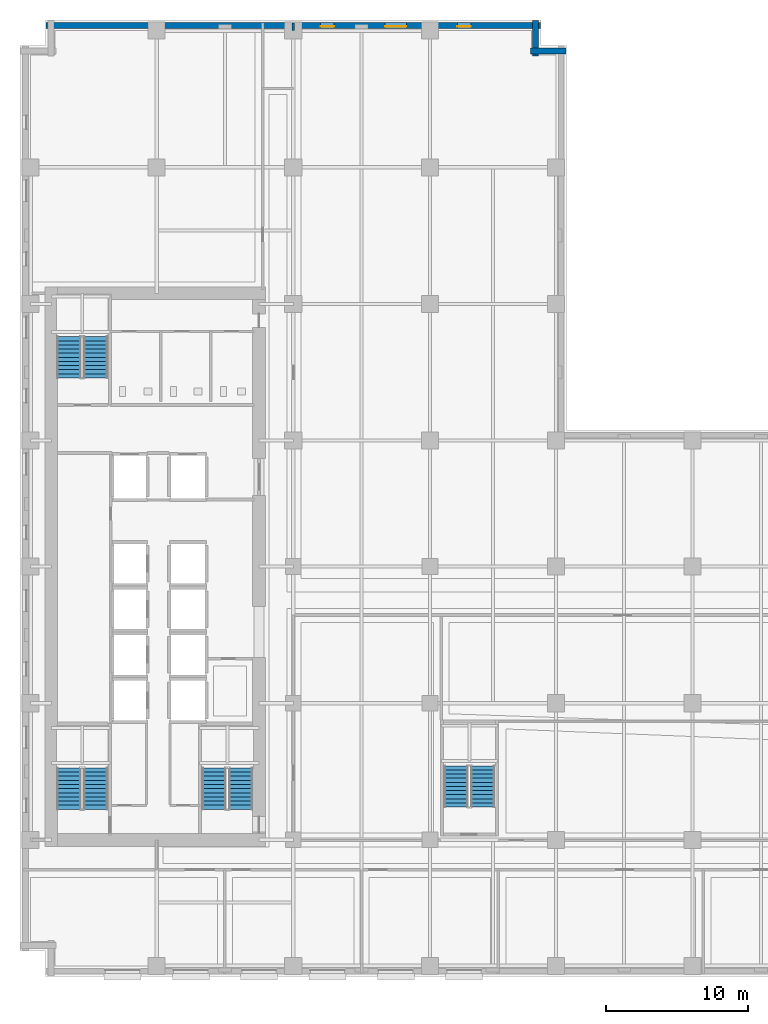
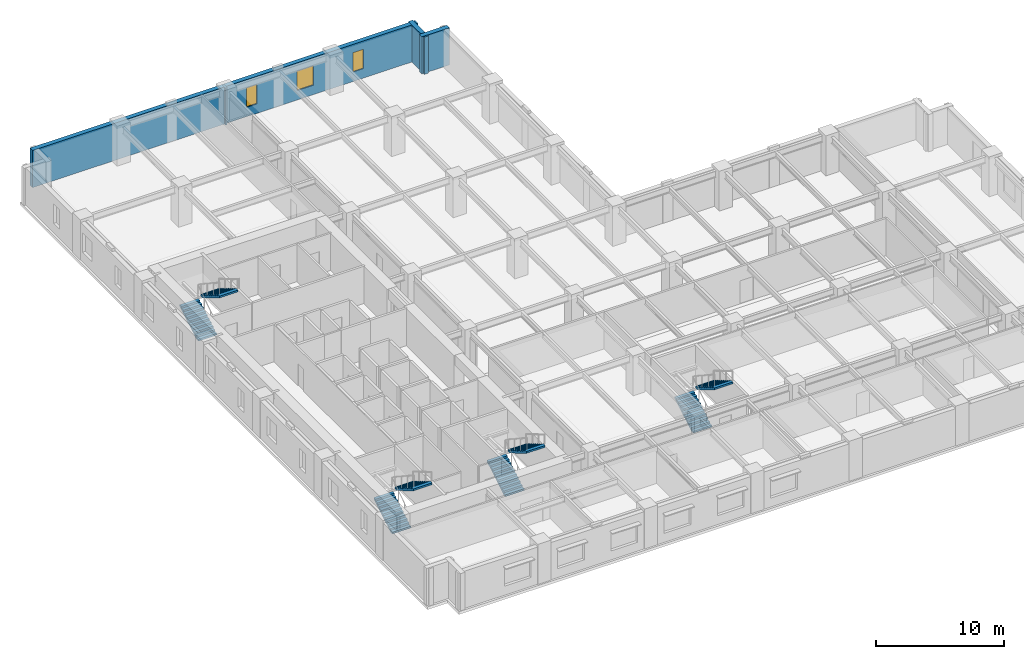
# One storey, part 9 of 14: 8 stair flights, 4 walls, 3 windows, 3 openings, 4 elements without a shape of their own.
"""IFC4 building model written with IfcOpenShell, lengths in metres."""

from ifc_helpers import new_model, si_unit, direction, frame, frame_2d, origin, place, context, subcontext, project, spatial, polyline, rectangle, outline, extrude, material, layer, layer_set, type_object, element, fill, aggregate, save


model = new_model("IFC4")

# Units and contexts
model_context = context("Model", 3, precision=1e-05, world=origin(), true_north=direction((0.0, 1.0)))
body_context = subcontext(model_context, "Body", "Model", "MODEL_VIEW")
ifc_project = project(units=[si_unit("LENGTHUNIT", "METRE"), si_unit("AREAUNIT", "SQUARE_METRE"), si_unit("VOLUMEUNIT", "CUBIC_METRE"), si_unit("PLANEANGLEUNIT", "RADIAN"), si_unit("MASSUNIT", "GRAM", prefix="KILO")], contexts=[model_context])

# Site, building, storey
site_placement = place(None, origin())
site = spatial("IfcSite", under=ifc_project, at=site_placement, CompositionType="ELEMENT")
building_placement = place(site_placement, origin())
building = spatial("IfcBuilding", under=site, at=building_placement, Name="Norrvale University Quadrangle", CompositionType="ELEMENT")
storey_placement = place(building_placement, frame((0.0, 0.0, 28.0)))
storey = spatial("IfcBuildingStorey", under=building, at=storey_placement, Name="L06", CompositionType="ELEMENT", Elevation=28.0)

# Walls
ifc_material_1 = material(Name="Fire-Rated Gypsum Stud Partition")
ifc_layer_1 = layer(ifc_material_1, 0.14990234375, Name="Fire-Rated Gypsum Stud Partition")
ifc_layer_set_1 = layer_set([ifc_layer_1], Name="Fire-Rated Gypsum Stud Partition")
wall_type_1 = type_object("IfcWallType", Name="Wall Gypsum Corridor 150", PredefinedType="PARTITIONING", material=ifc_layer_set_1)
wall_1_placement = place(storey_placement, frame((19.199951171875, 66.449951171875, 0.0), z_axis=(0.0, 0.0, 1.0), x_axis=(0.0, 1.0, 0.0)))
element("IfcWall", 1, at=wall_1_placement, inside=storey, type_object=wall_type_1, Name="Interior Partition WL-L06-NECW-B2", PredefinedType="PARTITIONING", context=body_context, shape_type="SweptSolid", body=[
    extrude(rectangle(XDim=0.530029296875, YDim=0.14990234375, at=frame_2d((0.26513671875, 0.0))), origin(), (0.0, 0.0, 1.0), 3.5400390625),
])
ifc_material_2 = material(Name="Red Manganese Brick Masonry", Category="masonry")
ifc_layer_2 = layer(ifc_material_2, 0.39990234375, Name="Red Manganese Brick Masonry")
ifc_layer_set_2 = layer_set([ifc_layer_2], Name="Red Manganese Brick Masonry")
wall_type_2 = type_object("IfcWallType", Name="Wall Red Brick 400", PredefinedType="SOLIDWALL", material=ifc_layer_set_2)
wall_2_placement = place(storey_placement, frame((38.360107421875, 65.02001953125, 0.0), z_axis=(0.0, 0.0, 1.0), x_axis=(-1.0, 0.0, 0.0)))
element("IfcWall", 2, at=wall_2_placement, inside=storey, type_object=wall_type_2, Name="Exterior Brick Facade Wall L06-09.1", PredefinedType="SOLIDWALL", context=body_context, shape_type="SweptSolid", body=[
    extrude(rectangle(XDim=2.480224609375, YDim=0.39990234375, at=frame_2d((1.240234375, 0.0))), origin(), (0.0, 0.0, 1.0), 3.5400390625),
])
wall_3_placement = place(storey_placement, frame((36.219970703125, 64.679931640625, 0.0), z_axis=(0.0, 0.0, 1.0), x_axis=(0.0, 1.0, 0.0)))
element("IfcWall", 3, at=wall_3_placement, inside=storey, type_object=wall_type_2, Name="Exterior Brick Facade Wall L06-10.1", PredefinedType="SOLIDWALL", context=body_context, shape_type="SweptSolid", body=[
    extrude(rectangle(XDim=2.47998046875, YDim=0.39990234375, at=frame_2d((1.239990234375, 0.0))), origin(), (0.0, 0.0, 1.0), 3.5400390625),
])

# Wall, openings, windows
wall_4_placement = place(storey_placement, frame((36.56005859375, 66.820068359375, 0.0), z_axis=(0.0, 0.0, 1.0), x_axis=(-1.0, 0.0, 0.0)))
wall_4 = element("IfcWall", 4, at=wall_4_placement, inside=storey, type_object=wall_type_2, Name="Exterior Brick Facade Wall L06-11.1", PredefinedType="SOLIDWALL", context=body_context, shape_type="SweptSolid", body=[
    extrude(rectangle(XDim=34.719970703125, YDim=0.39990234375, at=frame_2d((17.35986328125, 0.0))), origin(), (0.0, 0.0, 1.0), 3.5400390625),
])
opening_1_placement = place(wall_4_placement, frame((4.885009765625, 0.0, 0.89990234375)))
opening_1 = element("IfcOpeningElement", 5, at=opening_1_placement, cuts=wall_4, Name="Opening W04", PredefinedType="OPENING", context=body_context, shape_type="SweptSolid", body=[
    extrude(rectangle(XDim=0.949951171875, YDim=1.85009765625, at=frame_2d((0.47509765625, 0.925048828125))), frame((0.0, 0.2119140625, 0.0), z_axis=(0.0, -1.0, 0.0), x_axis=(1.0, 0.0, 0.0)), (0.0, 0.0, 1.0), 0.423828125),
])
opening_2_placement = place(wall_4_placement, frame((9.409912109375, 0.0, 0.89990234375)))
opening_2 = element("IfcOpeningElement", 6, at=opening_2_placement, cuts=wall_4, Name="Opening W03", PredefinedType="OPENING", context=body_context, shape_type="SweptSolid", body=[
    extrude(rectangle(XDim=1.5, YDim=1.85009765625, at=frame_2d((0.75, 0.925048828125))), frame((0.0, 0.2119140625, 0.0), z_axis=(0.0, -1.0, 0.0), x_axis=(1.0, 0.0, 0.0)), (0.0, 0.0, 1.0), 0.423828125),
])
opening_3_placement = place(wall_4_placement, frame((14.485107421875, 0.0, 0.89990234375)))
opening_3 = element("IfcOpeningElement", 7, at=opening_3_placement, cuts=wall_4, Name="Opening W04", PredefinedType="OPENING", context=body_context, shape_type="SweptSolid", body=[
    extrude(rectangle(XDim=0.949951171875, YDim=1.85009765625, at=frame_2d((0.47509765625, 0.925048828125))), frame((0.0, 0.2119140625, 0.0), z_axis=(0.0, -1.0, 0.0), x_axis=(1.0, 0.0, 0.0)), (0.0, 0.0, 1.0), 0.423828125),
])
ifc_material_3 = material(Name="Triple Low-E Argon Glazing", Category="glass")
window_type_1 = type_object("IfcWindowType", Name="Window Narrow Pier 950x2300", PartitioningType="SINGLE_PANEL", PredefinedType="WINDOW", material=ifc_material_3)
window_1_placement = place(opening_1_placement, origin())
window_1 = element("IfcWindow", 8, at=window_1_placement, inside=storey, type_object=window_type_1, Name="Window Narrow Pier 950x2300 WIN-L06-E11-1-01", OverallHeight=1.85009765625, OverallWidth=0.949951171875, PartitioningType="SINGLE_PANEL", PredefinedType="WINDOW", context=body_context, shape_type="SweptSolid", body=[
    extrude(rectangle(XDim=0.949951171875, YDim=1.85009765625, at=frame_2d((0.47509765625, 0.925048828125))), frame((0.0, 0.110107421875, 0.0), z_axis=(0.0, -1.0, 0.0), x_axis=(1.0, 0.0, 0.0)), (0.0, 0.0, 1.0), 0.06005859375),
])
fill(opening_1, window_1)
window_2_placement = place(opening_3_placement, origin())
window_2 = element("IfcWindow", 9, at=window_2_placement, inside=storey, type_object=window_type_1, Name="Window Narrow Pier 950x2300 WIN-L06-E11-1-03", OverallHeight=1.85009765625, OverallWidth=0.949951171875, PartitioningType="SINGLE_PANEL", PredefinedType="WINDOW", context=body_context, shape_type="SweptSolid", body=[
    extrude(rectangle(XDim=0.949951171875, YDim=1.85009765625, at=frame_2d((0.47509765625, 0.925048828125))), frame((0.0, 0.110107421875, 0.0), z_axis=(0.0, -1.0, 0.0), x_axis=(1.0, 0.0, 0.0)), (0.0, 0.0, 1.0), 0.06005859375),
])
fill(opening_3, window_2)
window_type_2 = type_object("IfcWindowType", Name="Window Studio 1500x2300", PartitioningType="DOUBLE_PANEL_VERTICAL", PredefinedType="WINDOW", material=ifc_material_3)
window_3_placement = place(opening_2_placement, origin())
window_3 = element("IfcWindow", 10, at=window_3_placement, inside=storey, type_object=window_type_2, Name="Window Studio 1500x2300 WIN-L06-E11-1-02", OverallHeight=1.85009765625, OverallWidth=1.5, PartitioningType="DOUBLE_PANEL_VERTICAL", PredefinedType="WINDOW", context=body_context, shape_type="SweptSolid", body=[
    extrude(rectangle(XDim=1.5, YDim=1.85009765625, at=frame_2d((0.75, 0.925048828125))), frame((0.0, 0.110107421875, 0.0), z_axis=(0.0, -1.0, 0.0), x_axis=(1.0, 0.0, 0.0)), (0.0, 0.0, 1.0), 0.06005859375),
])
fill(opening_2, window_3)

# Stair, stair flights
ifc_material_4 = material(Name="Concrete C40/50", Category="concrete")
stair_type = type_object("IfcStairType", Name="Stair Tower Typ 3800", PredefinedType="TWO_STRAIGHT_RUN_STAIR", material=ifc_material_4)
stair_1_placement = place(storey_placement, origin())
stair_1 = element("IfcStair", 11, at=stair_1_placement, inside=storey, type_object=stair_type, Name="Exit Stair ST-01 L06", PredefinedType="TWO_STRAIGHT_RUN_STAIR")
stair_flight_type = type_object("IfcStairFlightType", Name="Flight Typ 1500", PredefinedType="STRAIGHT", material=ifc_material_4)
stair_flight_1_placement = place(storey_placement, frame((3.429931640625, 11.75, 0.0), z_axis=(0.0, 0.0, 1.0), x_axis=(0.0, 1.0, 0.0)))
stair_flight_1 = element("IfcStairFlight", 12, at=stair_flight_1_placement, type_object=stair_flight_type, Name="Exit Stair ST-01 L06 Lower Flight", NumberOfRisers=11, NumberOfTreads=10, PredefinedType="STRAIGHT", RiserHeight=0.172727, TreadLength=0.29, context=body_context, shape_type="SweptSolid", body=[
    extrude(outline(polyline([(0.0, 0.0), (0.0, 0.172607421875), (0.2900390625, 0.172607421875), (0.2900390625, 0.345458984375), (0.580078125, 0.345458984375), (0.580078125, 0.51806640625), (0.8701171875, 0.51806640625), (0.8701171875, 0.69091796875), (1.159912109375, 0.69091796875), (1.159912109375, 0.863525390625), (1.449951171875, 0.863525390625), (1.449951171875, 1.036376953125), (1.739990234375, 1.036376953125), (1.739990234375, 1.208984375), (2.030029296875, 1.208984375), (2.030029296875, 1.3818359375), (2.320068359375, 1.3818359375), (2.320068359375, 1.554443359375), (2.610107421875, 1.554443359375), (2.610107421875, 1.727294921875), (2.89990234375, 1.727294921875), (2.89990234375, 1.89990234375), (2.89990234375, 1.552734375), (0.29296875, 0.0), (0.0, 0.0)])), frame((0.0, 0.83984375, 0.0), z_axis=(0.0, -1.0, 0.0), x_axis=(1.0, 0.0, 0.0)), (0.0, 0.0, 1.0), 1.679931640625),
])
stair_flight_2_placement = place(storey_placement, frame((5.320068359375, 14.64990234375, 1.89990234375), z_axis=(0.0, 0.0, 1.0), x_axis=(0.0, -1.0, 0.0)))
stair_flight_2 = element("IfcStairFlight", 13, at=stair_flight_2_placement, type_object=stair_flight_type, Name="Exit Stair ST-01 L06 Upper Flight", NumberOfRisers=11, NumberOfTreads=10, PredefinedType="STRAIGHT", RiserHeight=0.172727, TreadLength=0.29, context=body_context, shape_type="SweptSolid", body=[
    extrude(outline(polyline([(0.0, 0.0), (0.0, 0.172607421875), (0.2900390625, 0.172607421875), (0.2900390625, 0.345458984375), (0.580078125, 0.345458984375), (0.580078125, 0.51806640625), (0.8701171875, 0.51806640625), (0.8701171875, 0.69091796875), (1.159912109375, 0.69091796875), (1.159912109375, 0.863525390625), (1.449951171875, 0.863525390625), (1.449951171875, 1.036376953125), (1.739990234375, 1.036376953125), (1.739990234375, 1.208984375), (2.030029296875, 1.208984375), (2.030029296875, 1.3818359375), (2.320068359375, 1.3818359375), (2.320068359375, 1.554443359375), (2.610107421875, 1.554443359375), (2.610107421875, 1.727294921875), (2.89990234375, 1.727294921875), (2.89990234375, 1.89990234375), (2.89990234375, 1.552734375), (0.29296875, 0.0), (0.0, 0.0)])), frame((0.0, 0.83984375, 0.0), z_axis=(0.0, -1.0, 0.0), x_axis=(1.0, 0.0, 0.0)), (0.0, 0.0, 1.0), 1.679931640625),
])
aggregate(stair_1, [stair_flight_1, stair_flight_2])

stair_2_placement = place(storey_placement, origin())
stair_2 = element("IfcStair", 14, at=stair_2_placement, inside=storey, type_object=stair_type, Name="Exit Stair ST-02 L06", PredefinedType="TWO_STRAIGHT_RUN_STAIR")
stair_flight_3_placement = place(storey_placement, frame((3.429931640625, 42.050048828125, 0.0), z_axis=(0.0, 0.0, 1.0), x_axis=(0.0, 1.0, 0.0)))
stair_flight_3 = element("IfcStairFlight", 15, at=stair_flight_3_placement, type_object=stair_flight_type, Name="Exit Stair ST-02 L06 Lower Flight", NumberOfRisers=11, NumberOfTreads=10, PredefinedType="STRAIGHT", RiserHeight=0.172727, TreadLength=0.29, context=body_context, shape_type="SweptSolid", body=[
    extrude(outline(polyline([(0.0, 0.0), (0.0, 0.172607421875), (0.2900390625, 0.172607421875), (0.2900390625, 0.345458984375), (0.580078125, 0.345458984375), (0.580078125, 0.51806640625), (0.8701171875, 0.51806640625), (0.8701171875, 0.69091796875), (1.159912109375, 0.69091796875), (1.159912109375, 0.863525390625), (1.449951171875, 0.863525390625), (1.449951171875, 1.036376953125), (1.739990234375, 1.036376953125), (1.739990234375, 1.208984375), (2.030029296875, 1.208984375), (2.030029296875, 1.3818359375), (2.320068359375, 1.3818359375), (2.320068359375, 1.554443359375), (2.610107421875, 1.554443359375), (2.610107421875, 1.727294921875), (2.89990234375, 1.727294921875), (2.89990234375, 1.89990234375), (2.89990234375, 1.552734375), (0.29296875, 0.0), (0.0, 0.0)])), frame((0.0, 0.83984375, 0.0), z_axis=(0.0, -1.0, 0.0), x_axis=(1.0, 0.0, 0.0)), (0.0, 0.0, 1.0), 1.679931640625),
])
stair_flight_4_placement = place(storey_placement, frame((5.320068359375, 44.949951171875, 1.89990234375), z_axis=(0.0, 0.0, 1.0), x_axis=(0.0, -1.0, 0.0)))
stair_flight_4 = element("IfcStairFlight", 16, at=stair_flight_4_placement, type_object=stair_flight_type, Name="Exit Stair ST-02 L06 Upper Flight", NumberOfRisers=11, NumberOfTreads=10, PredefinedType="STRAIGHT", RiserHeight=0.172727, TreadLength=0.29, context=body_context, shape_type="SweptSolid", body=[
    extrude(outline(polyline([(0.0, 0.0), (0.0, 0.172607421875), (0.2900390625, 0.172607421875), (0.2900390625, 0.345458984375), (0.580078125, 0.345458984375), (0.580078125, 0.51806640625), (0.8701171875, 0.51806640625), (0.8701171875, 0.69091796875), (1.159912109375, 0.69091796875), (1.159912109375, 0.863525390625), (1.449951171875, 0.863525390625), (1.449951171875, 1.036376953125), (1.739990234375, 1.036376953125), (1.739990234375, 1.208984375), (2.030029296875, 1.208984375), (2.030029296875, 1.3818359375), (2.320068359375, 1.3818359375), (2.320068359375, 1.554443359375), (2.610107421875, 1.554443359375), (2.610107421875, 1.727294921875), (2.89990234375, 1.727294921875), (2.89990234375, 1.89990234375), (2.89990234375, 1.552734375), (0.29296875, 0.0), (0.0, 0.0)])), frame((0.0, 0.83984375, 0.0), z_axis=(0.0, -1.0, 0.0), x_axis=(1.0, 0.0, 0.0)), (0.0, 0.0, 1.0), 1.679931640625),
])
aggregate(stair_2, [stair_flight_3, stair_flight_4])

stair_3_placement = place(storey_placement, origin())
stair_3 = element("IfcStair", 17, at=stair_3_placement, inside=storey, type_object=stair_type, Name="Exit Stair ST-03 L06", PredefinedType="TWO_STRAIGHT_RUN_STAIR")
stair_flight_5_placement = place(storey_placement, frame((13.6298828125, 11.75, 0.0), z_axis=(0.0, 0.0, 1.0), x_axis=(0.0, 1.0, 0.0)))
stair_flight_5 = element("IfcStairFlight", 18, at=stair_flight_5_placement, type_object=stair_flight_type, Name="Exit Stair ST-03 L06 Lower Flight", NumberOfRisers=11, NumberOfTreads=10, PredefinedType="STRAIGHT", RiserHeight=0.172727, TreadLength=0.29, context=body_context, shape_type="SweptSolid", body=[
    extrude(outline(polyline([(0.0, 0.0), (0.0, 0.172607421875), (0.2900390625, 0.172607421875), (0.2900390625, 0.345458984375), (0.580078125, 0.345458984375), (0.580078125, 0.51806640625), (0.8701171875, 0.51806640625), (0.8701171875, 0.69091796875), (1.159912109375, 0.69091796875), (1.159912109375, 0.863525390625), (1.449951171875, 0.863525390625), (1.449951171875, 1.036376953125), (1.739990234375, 1.036376953125), (1.739990234375, 1.208984375), (2.030029296875, 1.208984375), (2.030029296875, 1.3818359375), (2.320068359375, 1.3818359375), (2.320068359375, 1.554443359375), (2.610107421875, 1.554443359375), (2.610107421875, 1.727294921875), (2.89990234375, 1.727294921875), (2.89990234375, 1.89990234375), (2.89990234375, 1.552734375), (0.29296875, 0.0), (0.0, 0.0)])), frame((0.0, 0.83984375, 0.0), z_axis=(0.0, -1.0, 0.0), x_axis=(1.0, 0.0, 0.0)), (0.0, 0.0, 1.0), 1.679931640625),
])
stair_flight_6_placement = place(storey_placement, frame((15.52001953125, 14.64990234375, 1.89990234375), z_axis=(0.0, 0.0, 1.0), x_axis=(0.0, -1.0, 0.0)))
stair_flight_6 = element("IfcStairFlight", 19, at=stair_flight_6_placement, type_object=stair_flight_type, Name="Exit Stair ST-03 L06 Upper Flight", NumberOfRisers=11, NumberOfTreads=10, PredefinedType="STRAIGHT", RiserHeight=0.172727, TreadLength=0.29, context=body_context, shape_type="SweptSolid", body=[
    extrude(outline(polyline([(0.0, 0.0), (0.0, 0.172607421875), (0.2900390625, 0.172607421875), (0.2900390625, 0.345458984375), (0.580078125, 0.345458984375), (0.580078125, 0.51806640625), (0.8701171875, 0.51806640625), (0.8701171875, 0.69091796875), (1.159912109375, 0.69091796875), (1.159912109375, 0.863525390625), (1.449951171875, 0.863525390625), (1.449951171875, 1.036376953125), (1.739990234375, 1.036376953125), (1.739990234375, 1.208984375), (2.030029296875, 1.208984375), (2.030029296875, 1.3818359375), (2.320068359375, 1.3818359375), (2.320068359375, 1.554443359375), (2.610107421875, 1.554443359375), (2.610107421875, 1.727294921875), (2.89990234375, 1.727294921875), (2.89990234375, 1.89990234375), (2.89990234375, 1.552734375), (0.29296875, 0.0), (0.0, 0.0)])), frame((0.0, 0.83984375, 0.0), z_axis=(0.0, -1.0, 0.0), x_axis=(1.0, 0.0, 0.0)), (0.0, 0.0, 1.0), 1.679931640625),
])
aggregate(stair_3, [stair_flight_5, stair_flight_6])

stair_4_placement = place(storey_placement, origin())
stair_4 = element("IfcStair", 20, at=stair_4_placement, inside=storey, type_object=stair_type, Name="Exit Stair ST-04 L06", PredefinedType="TWO_STRAIGHT_RUN_STAIR")
stair_flight_7_placement = place(storey_placement, frame((30.6298828125, 11.89990234375, 0.0), z_axis=(0.0, 0.0, 1.0), x_axis=(0.0, 1.0, 0.0)))
stair_flight_7 = element("IfcStairFlight", 21, at=stair_flight_7_placement, type_object=stair_flight_type, Name="Exit Stair ST-04 L06 Lower Flight", NumberOfRisers=11, NumberOfTreads=10, PredefinedType="STRAIGHT", RiserHeight=0.172727, TreadLength=0.29, context=body_context, shape_type="SweptSolid", body=[
    extrude(outline(polyline([(0.0, 0.0), (0.0, 0.172607421875), (0.2900390625, 0.172607421875), (0.2900390625, 0.345458984375), (0.580078125, 0.345458984375), (0.580078125, 0.51806640625), (0.8701171875, 0.51806640625), (0.8701171875, 0.69091796875), (1.159912109375, 0.69091796875), (1.159912109375, 0.863525390625), (1.449951171875, 0.863525390625), (1.449951171875, 1.036376953125), (1.739990234375, 1.036376953125), (1.739990234375, 1.208984375), (2.030029296875, 1.208984375), (2.030029296875, 1.3818359375), (2.320068359375, 1.3818359375), (2.320068359375, 1.554443359375), (2.610107421875, 1.554443359375), (2.610107421875, 1.727294921875), (2.89990234375, 1.727294921875), (2.89990234375, 1.89990234375), (2.89990234375, 1.552734375), (0.29296875, 0.0), (0.0, 0.0)])), frame((0.0, 0.83984375, 0.0), z_axis=(0.0, -1.0, 0.0), x_axis=(1.0, 0.0, 0.0)), (0.0, 0.0, 1.0), 1.679931640625),
])
stair_flight_8_placement = place(storey_placement, frame((32.52001953125, 14.800048828125, 1.89990234375), z_axis=(0.0, 0.0, 1.0), x_axis=(0.0, -1.0, 0.0)))
stair_flight_8 = element("IfcStairFlight", 22, at=stair_flight_8_placement, type_object=stair_flight_type, Name="Exit Stair ST-04 L06 Upper Flight", NumberOfRisers=11, NumberOfTreads=10, PredefinedType="STRAIGHT", RiserHeight=0.172727, TreadLength=0.29, context=body_context, shape_type="SweptSolid", body=[
    extrude(outline(polyline([(0.0, 0.0), (0.0, 0.172607421875), (0.2900390625, 0.172607421875), (0.2900390625, 0.345458984375), (0.580078125, 0.345458984375), (0.580078125, 0.51806640625), (0.8701171875, 0.51806640625), (0.8701171875, 0.69091796875), (1.159912109375, 0.69091796875), (1.159912109375, 0.863525390625), (1.449951171875, 0.863525390625), (1.449951171875, 1.036376953125), (1.739990234375, 1.036376953125), (1.739990234375, 1.208984375), (2.030029296875, 1.208984375), (2.030029296875, 1.3818359375), (2.320068359375, 1.3818359375), (2.320068359375, 1.554443359375), (2.610107421875, 1.554443359375), (2.610107421875, 1.727294921875), (2.89990234375, 1.727294921875), (2.89990234375, 1.89990234375), (2.89990234375, 1.552734375), (0.29296875, 0.0), (0.0, 0.0)])), frame((0.0, 0.83984375, 0.0), z_axis=(0.0, -1.0, 0.0), x_axis=(1.0, 0.0, 0.0)), (0.0, 0.0, 1.0), 1.679931640625),
])
aggregate(stair_4, [stair_flight_7, stair_flight_8])

save(model, "model.ifc")
